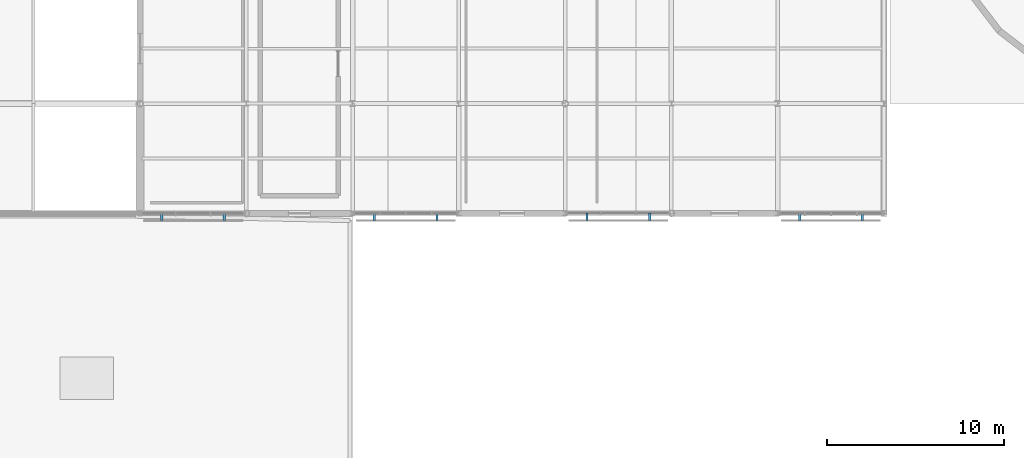
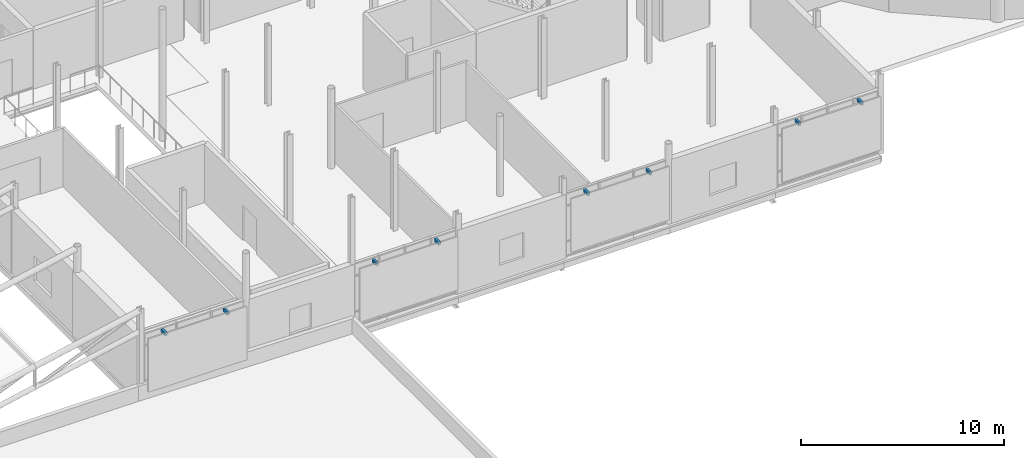
# One storey, part 65 of 84: 8 discrete accessories.
"""IFC4 building model written with IfcOpenShell, lengths in metres."""

from ifc_helpers import new_model, si_unit, direction, frame, origin, origin_2d, place, context, subcontext, project, spatial, rectangle, extrude, material, type_object, element, save


model = new_model("IFC4")

# Units and contexts
model_context = context("Model", 3, precision=1e-05, world=origin(), true_north=direction((0.0, 1.0)))
body_context = subcontext(model_context, "Body", "Model", "MODEL_VIEW")
ifc_project = project(units=[si_unit("LENGTHUNIT", "METRE"), si_unit("AREAUNIT", "SQUARE_METRE"), si_unit("VOLUMEUNIT", "CUBIC_METRE"), si_unit("PLANEANGLEUNIT", "RADIAN"), si_unit("MASSUNIT", "GRAM", prefix="KILO")], contexts=[model_context])

# Site, building, storey
site_placement = place(None, origin())
site = spatial("IfcSite", under=ifc_project, at=site_placement, CompositionType="ELEMENT")
building_placement = place(site_placement, origin())
building = spatial("IfcBuilding", under=site, at=building_placement, Name="Mirzam Square Science Centre", CompositionType="ELEMENT")
storey_placement = place(building_placement, frame((0.0, 0.0, 10.800048828125)))
storey = spatial("IfcBuildingStorey", under=building, at=storey_placement, Name="L02", CompositionType="ELEMENT", Elevation=10.800048828125)

# Discrete accessories
ifc_material = material(Name="Steel S355", Category="steel")
discrete_accessory_type = type_object("IfcDiscreteAccessoryType", Name="BRK-BRISE-STEEL", PredefinedType="BRACKET", material=ifc_material)
for number, where, z_axis, x_axis, name in (
    (1, (19.23291015625, 37.010009765625, 3.5), (0.0, 0.0, 1.0), (1.0, 0.0, 0.0), "L02 brise-soleil support bracket 25"),
    (2, (22.76708984375, 37.010009765625, 3.5), (0.0, 0.0, 1.0), (1.0, 0.0, 0.0), "L02 brise-soleil support bracket 25"),
    (3, (31.23291015625, 37.010009765625, 3.5), (0.0, 0.0, 1.0), (1.0, 0.0, 0.0), "L02 brise-soleil support bracket 26"),
    (4, (34.76708984375, 37.010009765625, 3.5), (0.0, 0.0, 1.0), (1.0, 0.0, 0.0), "L02 brise-soleil support bracket 26"),
    (5, (43.23291015625, 37.010009765625, 3.5), (0.0, 0.0, 1.0), (1.0, 0.0, 0.0), "L02 brise-soleil support bracket 27"),
    (6, (46.76708984375, 37.010009765625, 3.5), (0.0, 0.0, 1.0), (1.0, 0.0, 0.0), "L02 brise-soleil support bracket 27"),
    (7, (55.23291015625, 37.010009765625, 3.5), (0.0, 0.0, 1.0), (1.0, 0.0, 0.0), "L02 brise-soleil support bracket 28"),
    (8, (58.76708984375, 37.010009765625, 3.5), (0.0, 0.0, 1.0), (1.0, 0.0, 0.0), "L02 brise-soleil support bracket 28"),
):
    element("IfcDiscreteAccessory", number, at=place(storey_placement, frame(where, z_axis=z_axis, x_axis=x_axis)), inside=storey, type_object=discrete_accessory_type, Name=name, PredefinedType="BRACKET", context=body_context, shape_type="SweptSolid", body=[
        extrude(rectangle(XDim=0.139892578125, YDim=0.419921875, at=origin_2d()), origin(), (0.0, 0.0, 1.0), 0.179931640625),
    ])

save(model, "model.ifc")
